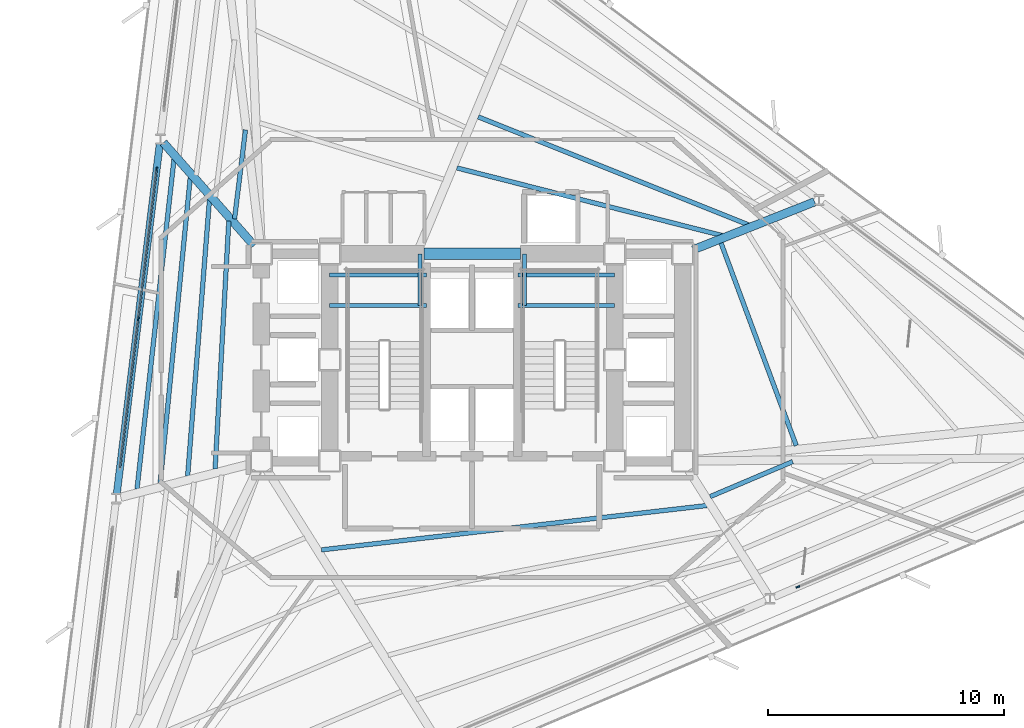
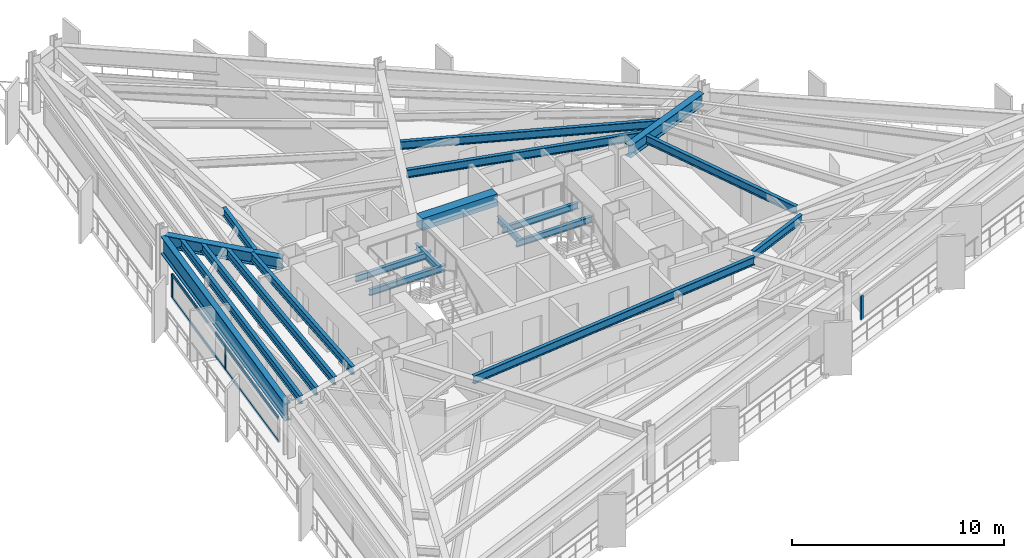
# One storey, part 3 of 13: 20 beams, 7 members, 2 elements without a shape of their own.
"""IFC4 building model written with IfcOpenShell, lengths in metres."""

from ifc_helpers import new_model, si_unit, direction, frame, origin, origin_2d, place, context, subcontext, project, spatial, rectangle, i_section, extrude, material, layer, layer_set, material_profile, profile_set, type_object, element, aggregate, save


model = new_model("IFC4")

# Units and contexts
model_context = context("Model", 3, precision=1e-05, world=origin(), true_north=direction((0.0, 1.0)))
body_context = subcontext(model_context, "Body", "Model", "MODEL_VIEW")
ifc_project = project(units=[si_unit("LENGTHUNIT", "METRE"), si_unit("AREAUNIT", "SQUARE_METRE"), si_unit("VOLUMEUNIT", "CUBIC_METRE"), si_unit("PLANEANGLEUNIT", "RADIAN"), si_unit("MASSUNIT", "GRAM", prefix="KILO")], contexts=[model_context])

# Site, building, storey
site_placement = place(None, origin())
site = spatial("IfcSite", under=ifc_project, at=site_placement, CompositionType="ELEMENT")
building_placement = place(site_placement, origin())
building = spatial("IfcBuilding", under=site, at=building_placement, Name="Rocaltana Carrier Exchange", CompositionType="ELEMENT")
storey_placement = place(building_placement, frame((0.0, 0.0, 73.1201171875)))
storey = spatial("IfcBuildingStorey", under=building, at=storey_placement, Name="L22", CompositionType="ELEMENT", Elevation=73.1201171875)

# Curtain wall, members
ifc_material_1 = material(Name="Aluminium 6063-T6", Category="aluminium")
ifc_layer = layer(ifc_material_1, 0.1650390625)
ifc_layer_set = layer_set([ifc_layer], Name="Aluminium 6063-T6")
curtain_wall_type = type_object("IfcCurtainWallType", Name="Lower-Mid Stepped Curtain Wall CW-02", PredefinedType="NOTDEFINED", material=ifc_layer_set)
curtain_wall_1_placement = place(storey_placement, origin())
curtain_wall_1 = element("IfcCurtainWall", 1, at=curtain_wall_1_placement, inside=storey, type_object=curtain_wall_type, Name="L22 CW-02 Run CW-L22-F2S2", PredefinedType="NOTDEFINED")
ifc_material_2 = material(Name="Aluminium 6063-T6", Category="aluminium")
ifc_material_profile_1 = material_profile(ifc_material_2, rectangle(XDim=0.06494140625, YDim=0.1650390625, at=origin_2d()), Name="AL-65X165")
ifc_profile_set_1 = profile_set([ifc_material_profile_1], Name="Aluminium 6063-T6")
member_type_1 = type_object("IfcMemberType", Name="CW-02 Mullion AL-65X165", PredefinedType="MULLION", material=ifc_profile_set_1)
member_1_placement = place(storey_placement, frame((-13.39404296875, 8.093505859375, 0.0), z_axis=(0.0, 0.0, 1.0), x_axis=(0.992545632614, -0.121873570472, 0.0)))
member_1 = element("IfcMember", 2, at=member_1_placement, type_object=member_type_1, Name="CW-02 mullion 1", PredefinedType="MULLION", context=body_context, shape_type="SweptSolid", body=[
    extrude(rectangle(XDim=0.06494140625, YDim=0.1650390625, at=origin_2d()), origin(), (0.0, 0.0, 1.0), 1.39794921875),
])
member_2_placement = place(storey_placement, frame((-14.17431640625, 1.740234375, 0.0), z_axis=(0.0, 0.0, 1.0), x_axis=(0.992545632614, -0.121873570472, 0.0)))
member_2 = element("IfcMember", 3, at=member_2_placement, type_object=member_type_1, Name="CW-02 mullion 2", PredefinedType="MULLION", context=body_context, shape_type="SweptSolid", body=[
    extrude(rectangle(XDim=0.06494140625, YDim=0.1650390625, at=origin_2d()), origin(), (0.0, 0.0, 1.0), 1.39794921875),
])

# Curtain wall, member
curtain_wall_2_placement = place(storey_placement, origin())
curtain_wall_2 = element("IfcCurtainWall", 4, at=curtain_wall_2_placement, inside=storey, type_object=curtain_wall_type, Name="L22 CW-02 Run CW-L22-F3S3", PredefinedType="NOTDEFINED")
member_3_placement = place(storey_placement, frame((13.8330078125, -9.642333984375, 0.0), z_axis=(0.0, 0.0, 1.0), x_axis=(-0.390735259141, 0.920503100084, 0.0)))
member_3 = element("IfcMember", 5, at=member_3_placement, type_object=member_type_1, Name="CW-02 mullion 1", PredefinedType="MULLION", context=body_context, shape_type="SweptSolid", body=[
    extrude(rectangle(XDim=0.06494140625, YDim=0.1650390625, at=origin_2d()), origin(), (0.0, 0.0, 1.0), 1.39794921875),
])
aggregate(curtain_wall_2, [member_3])

# Member
ifc_material_3 = material(Name="Aluminium 6063-T6", Category="aluminium")
ifc_material_profile_2 = material_profile(ifc_material_3, rectangle(XDim=0.06494140625, YDim=0.1650390625, at=origin_2d()), Name="AL-65X165")
ifc_profile_set_2 = profile_set([ifc_material_profile_2], Name="Aluminium 6063-T6")
member_type_2 = type_object("IfcMemberType", Name="CW-02 Transom AL-65X165", PredefinedType="USERDEFINED", material=ifc_profile_set_2)
member_4_placement = place(storey_placement, frame((-13.398193359375, 8.061279296875, 0.032470703125), z_axis=(-0.121881311797, -0.992544682034, 0.0), x_axis=(0.992544682034, -0.121881311797, 0.0)))
member_4 = element("IfcMember", 6, at=member_4_placement, type_object=member_type_2, Name="CW-02 transom 1.1", ObjectType="TRANSOM", PredefinedType="USERDEFINED", context=body_context, shape_type="SweptSolid", body=[
    extrude(rectangle(XDim=0.06494140625, YDim=0.1650390625, at=origin_2d()), origin(), (0.0, 0.0, 1.0), 6.335693359375),
])

member_5_placement = place(storey_placement, frame((-13.398193359375, 8.061279296875, 1.365478515625), z_axis=(-0.121881311797, -0.992544682034, 0.0), x_axis=(0.992544682034, -0.121881311797, 0.0)))
member_5 = element("IfcMember", 7, at=member_5_placement, type_object=member_type_2, Name="CW-02 transom 1.2", ObjectType="TRANSOM", PredefinedType="USERDEFINED", context=body_context, shape_type="SweptSolid", body=[
    extrude(rectangle(XDim=0.06494140625, YDim=0.1650390625, at=origin_2d()), origin(), (0.0, 0.0, 1.0), 6.335693359375),
])

member_6_placement = place(storey_placement, frame((-14.17822265625, 1.7080078125, 0.032470703125), z_axis=(-0.121881311797, -0.992544682034, 0.0), x_axis=(0.992544682034, -0.121881311797, 0.0)))
member_6 = element("IfcMember", 8, at=member_6_placement, type_object=member_type_2, Name="CW-02 transom 2.1", ObjectType="TRANSOM", PredefinedType="USERDEFINED", context=body_context, shape_type="SweptSolid", body=[
    extrude(rectangle(XDim=0.06494140625, YDim=0.1650390625, at=origin_2d()), origin(), (0.0, 0.0, 1.0), 6.335693359375),
])

member_7_placement = place(storey_placement, frame((-14.17822265625, 1.7080078125, 1.365478515625), z_axis=(-0.121881311797, -0.992544682034, 0.0), x_axis=(0.992544682034, -0.121881311797, 0.0)))
member_7 = element("IfcMember", 9, at=member_7_placement, type_object=member_type_2, Name="CW-02 transom 2.2", ObjectType="TRANSOM", PredefinedType="USERDEFINED", context=body_context, shape_type="SweptSolid", body=[
    extrude(rectangle(XDim=0.06494140625, YDim=0.1650390625, at=origin_2d()), origin(), (0.0, 0.0, 1.0), 6.335693359375),
])

aggregate(curtain_wall_1, [member_1, member_2, member_4, member_5, member_6, member_7])

# Beams
ifc_material_4 = material(Name="Concrete C60/75", Category="concrete")
ifc_material_profile_3 = material_profile(ifc_material_4, rectangle(XDim=0.5, YDim=0.699951171875, at=origin_2d()), Name="RC-BM-500X700")
ifc_profile_set_3 = profile_set([ifc_material_profile_3], Name="Concrete C60/75")
beam_type_1 = type_object("IfcBeamType", Name="Core Coupling Lintel 500x700", PredefinedType="LINTEL", material=ifc_profile_set_3)
beam_1_placement = place(storey_placement, frame((-2.050048828125, 4.5, 2.587890625), z_axis=(1.0, 0.0, 0.0), x_axis=(0.0, 1.0, 0.0)))
element("IfcBeam", 10, at=beam_1_placement, inside=storey, type_object=beam_type_1, Name="L22 Core Coupling Lintel CL-N", PredefinedType="LINTEL", context=body_context, shape_type="SweptSolid", body=[
    extrude(rectangle(XDim=0.5, YDim=0.699951171875, at=origin_2d()), origin(), (0.0, 0.0, 1.0), 4.10009765625),
])
ifc_material_5 = material(Name="Steel S355", Category="steel")
ifc_material_profile_4 = material_profile(ifc_material_5, i_section(OverallWidth=0.172119140625, OverallDepth=0.35791015625, WebThickness=0.0078125, FlangeThickness=0.01318359375, FilletRadius=0.011962890625, at=origin_2d()), Name="W14X38")
ifc_profile_set_4 = profile_set([ifc_material_profile_4], Name="Steel S355")
beam_type_2 = type_object("IfcBeamType", Name="Floor Joist W14X38", PredefinedType="JOIST", material=ifc_profile_set_4)
for number, where, z_axis, x_axis, name in (
    (11, (-6.050048828125, 2.300048828125, 1.30078125), (1.0, 0.0, 0.0), (0.0, 1.0, 0.0), "L22 ST-1 Landing Carrier 1"),
    (12, (1.93994140625, 2.300048828125, 1.30078125), (1.0, 0.0, 0.0), (0.0, 1.0, 0.0), "L22 ST-2 Landing Carrier 1"),
    (13, (-6.050048828125, 3.60009765625, 1.30078125), (1.0, 0.0, 0.0), (0.0, 1.0, 0.0), "L22 ST-1 Landing Carrier 2"),
    (14, (1.93994140625, 3.60009765625, 1.30078125), (1.0, 0.0, 0.0), (0.0, 1.0, 0.0), "L22 ST-2 Landing Carrier 2"),
):
    element("IfcBeam", number, at=place(storey_placement, frame(where, z_axis=z_axis, x_axis=x_axis)), inside=storey, type_object=beam_type_2, Name=name, PredefinedType="JOIST", context=body_context, shape_type="SweptSolid", body=[
        extrude(i_section(OverallWidth=0.172119140625, OverallDepth=0.35791015625, WebThickness=0.0078125, FlangeThickness=0.01318359375, FilletRadius=0.011962890625, at=origin_2d()), origin(), (0.0, 0.0, 1.0), 4.110107421875),
    ])
for number, where, z_axis, x_axis, name in (
    (15, (-2.219970703125, 2.300048828125, 1.30078125), (0.0, 1.0, 0.0), (-1.0, 0.0, 0.0), "L22 ST-1 Landing Cross Trimmer"),
    (16, (2.219970703125, 2.300048828125, 1.30078125), (0.0, 1.0, 0.0), (-1.0, 0.0, 0.0), "L22 ST-2 Landing Cross Trimmer"),
):
    element("IfcBeam", number, at=place(storey_placement, frame(where, z_axis=z_axis, x_axis=x_axis)), inside=storey, type_object=beam_type_2, Name=name, PredefinedType="JOIST", context=body_context, shape_type="SweptSolid", body=[
        extrude(i_section(OverallWidth=0.172119140625, OverallDepth=0.35791015625, WebThickness=0.0078125, FlangeThickness=0.01318359375, FilletRadius=0.011962890625, at=origin_2d()), origin(), (0.0, 0.0, 1.0), 2.199951171875),
    ])
ifc_material_6 = material(Name="Steel S355", Category="steel")
ifc_material_profile_5 = material_profile(ifc_material_6, i_section(OverallWidth=0.193115234375, OverallDepth=0.466064453125, WebThickness=0.011474609375, FlangeThickness=0.01904296875, FilletRadius=0.013916015625, at=origin_2d()), Name="W18X65")
ifc_profile_set_5 = profile_set([ifc_material_profile_5], Name="Steel S355")
beam_type_3 = type_object("IfcBeamType", Name="Floor Joist W18X65", PredefinedType="JOIST", material=ifc_profile_set_5)
beam_2_placement = place(storey_placement, frame((13.7646484375, -3.644287109375, 2.704833984375), z_axis=(-0.348190538878, 0.937423782841, 0.0), x_axis=(-0.937423782841, -0.348190538878, 0.0)))
element("IfcBeam", 17, at=beam_2_placement, inside=storey, type_object=beam_type_3, Name="FJ-L22-01-1", PredefinedType="JOIST", context=body_context, shape_type="SweptSolid", body=[
    extrude(i_section(OverallWidth=0.193115234375, OverallDepth=0.466064453125, WebThickness=0.011474609375, FlangeThickness=0.01904296875, FilletRadius=0.013916015625, at=origin_2d()), origin(), (0.0, 0.0, 1.0), 9.17333984375),
])
beam_3_placement = place(storey_placement, frame((10.633544921875, 5.272216796875, 2.704833984375), z_axis=(-0.969019358716, 0.246984781785, 0.0), x_axis=(-0.246984781785, -0.969019358716, 0.0)))
element("IfcBeam", 18, at=beam_3_placement, inside=storey, type_object=beam_type_3, Name="FJ-L22-02-1", PredefinedType="JOIST", context=body_context, shape_type="SweptSolid", body=[
    extrude(i_section(OverallWidth=0.193115234375, OverallDepth=0.466064453125, WebThickness=0.011474609375, FlangeThickness=0.01904296875, FilletRadius=0.013916015625, at=origin_2d()), origin(), (0.0, 0.0, 1.0), 11.639404296875),
])
beam_4_placement = place(storey_placement, frame((11.73876953125, 5.72705078125, 2.704833984375), z_axis=(-0.928527082135, 0.371264673436, 0.0), x_axis=(-0.371264673436, -0.928527082135, 0.0)))
element("IfcBeam", 19, at=beam_4_placement, inside=storey, type_object=beam_type_3, Name="FJ-L22-02-2", PredefinedType="JOIST", context=body_context, shape_type="SweptSolid", body=[
    extrude(i_section(OverallWidth=0.193115234375, OverallDepth=0.466064453125, WebThickness=0.011474609375, FlangeThickness=0.01904296875, FilletRadius=0.013916015625, at=origin_2d()), origin(), (0.0, 0.0, 1.0), 12.36083984375),
])
beam_5_placement = place(storey_placement, frame((-9.623046875, 9.76171875, 2.704833984375), z_axis=(-0.121879106214, -0.99254495287, 0.0), x_axis=(0.99254495287, -0.121879106214, 0.0)))
element("IfcBeam", 20, at=beam_5_placement, inside=storey, type_object=beam_type_3, Name="FJ-L22-05-1", PredefinedType="JOIST", context=body_context, shape_type="SweptSolid", body=[
    extrude(i_section(OverallWidth=0.193115234375, OverallDepth=0.466064453125, WebThickness=0.011474609375, FlangeThickness=0.01904296875, FilletRadius=0.013916015625, at=origin_2d()), origin(), (0.0, 0.0, 1.0), 3.805908203125),
])
beam_6_placement = place(storey_placement, frame((-10.33154296875, 5.885986328125, 2.704833984375), z_axis=(-0.055068403042, -0.998482584218, 0.0), x_axis=(0.998482584218, -0.055068403042, 0.0)))
element("IfcBeam", 21, at=beam_6_placement, inside=storey, type_object=beam_type_3, Name="FJ-L22-06-1", PredefinedType="JOIST", context=body_context, shape_type="SweptSolid", body=[
    extrude(i_section(OverallWidth=0.193115234375, OverallDepth=0.466064453125, WebThickness=0.011474609375, FlangeThickness=0.01904296875, FilletRadius=0.013916015625, at=origin_2d()), origin(), (0.0, 0.0, 1.0), 10.5380859375),
])
beam_7_placement = place(storey_placement, frame((-11.150390625, 6.810791015625, 2.704833984375), z_axis=(-0.078741493591, -0.996895068293, 0.0), x_axis=(0.996895068293, -0.078741493591, 0.0)))
element("IfcBeam", 22, at=beam_7_placement, inside=storey, type_object=beam_type_3, Name="FJ-L22-06-2", PredefinedType="JOIST", context=body_context, shape_type="SweptSolid", body=[
    extrude(i_section(OverallWidth=0.193115234375, OverallDepth=0.466064453125, WebThickness=0.011474609375, FlangeThickness=0.01904296875, FilletRadius=0.013916015625, at=origin_2d()), origin(), (0.0, 0.0, 1.0), 11.78515625),
])
beam_8_placement = place(storey_placement, frame((-11.96826171875, 7.73583984375, 2.704833984375), z_axis=(-0.097972183255, -0.995189153532, 0.0), x_axis=(0.995189153532, -0.097972183255, 0.0)))
element("IfcBeam", 23, at=beam_8_placement, inside=storey, type_object=beam_type_3, Name="FJ-L22-06-3", PredefinedType="JOIST", context=body_context, shape_type="SweptSolid", body=[
    extrude(i_section(OverallWidth=0.193115234375, OverallDepth=0.466064453125, WebThickness=0.011474609375, FlangeThickness=0.01904296875, FilletRadius=0.013916015625, at=origin_2d()), origin(), (0.0, 0.0, 1.0), 13.037841796875),
])
beam_9_placement = place(storey_placement, frame((-12.65673828125, 8.5146484375, 2.704833984375), z_axis=(-0.111539715424, -0.993759976998, 0.0), x_axis=(0.993759976998, -0.111539715424, 0.0)))
element("IfcBeam", 24, at=beam_9_placement, inside=storey, type_object=beam_type_3, Name="FJ-L22-06-4", PredefinedType="JOIST", context=body_context, shape_type="SweptSolid", body=[
    extrude(i_section(OverallWidth=0.193115234375, OverallDepth=0.466064453125, WebThickness=0.011474609375, FlangeThickness=0.01904296875, FilletRadius=0.013916015625, at=origin_2d()), origin(), (0.0, 0.0, 1.0), 14.095947265625),
])
beam_10_placement = place(storey_placement, frame((-6.393310546875, -8.071533203125, 2.704833984375), z_axis=(0.993445833528, 0.114303875027, 0.0), x_axis=(-0.114303875027, 0.993445833528, 0.0)))
element("IfcBeam", 25, at=beam_10_placement, inside=storey, type_object=beam_type_3, Name="FJ-L22-10-1", PredefinedType="JOIST", context=body_context, shape_type="SweptSolid", body=[
    extrude(i_section(OverallWidth=0.193115234375, OverallDepth=0.466064453125, WebThickness=0.011474609375, FlangeThickness=0.01904296875, FilletRadius=0.013916015625, at=origin_2d()), origin(), (0.0, 0.0, 1.0), 16.465576171875),
])
beam_11_placement = place(storey_placement, frame((10.107421875, -5.810791015625, 2.704833984375), z_axis=(0.920496503987, 0.390750798013, 0.0), x_axis=(-0.390750798013, 0.920496503987, 0.0)))
element("IfcBeam", 26, at=beam_11_placement, inside=storey, type_object=beam_type_3, Name="FJ-L22-11-1", PredefinedType="JOIST", context=body_context, shape_type="SweptSolid", body=[
    extrude(i_section(OverallWidth=0.193115234375, OverallDepth=0.466064453125, WebThickness=0.011474609375, FlangeThickness=0.01904296875, FilletRadius=0.013916015625, at=origin_2d()), origin(), (0.0, 0.0, 1.0), 3.80615234375),
])
ifc_material_7 = material(Name="Steel S355", Category="steel")
ifc_material_profile_6 = material_profile(ifc_material_7, i_section(OverallWidth=0.35498046875, OverallDepth=0.695068359375, WebThickness=0.015380859375, FlangeThickness=0.02490234375, FilletRadius=0.01806640625, at=origin_2d()), Name="W27X146")
ifc_profile_set_6 = profile_set([ifc_material_profile_6], Name="Steel S355")
beam_type_4 = type_object("IfcBeamType", Name="Radial Girder W27X146", PredefinedType="BEAM", material=ifc_profile_set_6)
beam_12_placement = place(storey_placement, frame((9.384521484375, 4.67138671875, 2.59033203125), z_axis=(0.93018805463, 0.367083346153, 0.0), x_axis=(-0.367083346153, 0.93018805463, 0.0)))
element("IfcBeam", 27, at=beam_12_placement, inside=storey, type_object=beam_type_4, Name="RG-L22-02", PredefinedType="BEAM", context=body_context, shape_type="SweptSolid", body=[
    extrude(i_section(OverallWidth=0.35498046875, OverallDepth=0.695068359375, WebThickness=0.015380859375, FlangeThickness=0.02490234375, FilletRadius=0.01806640625, at=origin_2d()), origin(), (0.0, 0.0, 1.0), 5.546142578125),
])
beam_13_placement = place(storey_placement, frame((-9.2587890625, 4.850341796875, 2.59033203125), z_axis=(-0.661091296073, 0.750305469963, 0.0), x_axis=(-0.750305469963, -0.661091296073, 0.0)))
element("IfcBeam", 28, at=beam_13_placement, inside=storey, type_object=beam_type_4, Name="RG-L22-06", PredefinedType="BEAM", context=body_context, shape_type="SweptSolid", body=[
    extrude(i_section(OverallWidth=0.35498046875, OverallDepth=0.695068359375, WebThickness=0.015380859375, FlangeThickness=0.02490234375, FilletRadius=0.01806640625, at=origin_2d()), origin(), (0.0, 0.0, 1.0), 5.81787109375),
])
ifc_material_8 = material(Name="Steel S460", Category="steel")
ifc_material_profile_7 = material_profile(ifc_material_8, i_section(OverallWidth=0.302001953125, OverallDepth=1.008056640625, WebThickness=0.02099609375, FlangeThickness=0.0400390625, FilletRadius=0.030029296875, at=origin_2d()), Name="HEM1000")
ifc_profile_set_7 = profile_set([ifc_material_profile_7], Name="Steel S460")
beam_type_5 = type_object("IfcBeamType", Name="Transfer Ring Girder HEM1000", PredefinedType="USERDEFINED", material=ifc_profile_set_7)
beam_14_placement = place(storey_placement, frame((-13.262451171875, 9.1669921875, 2.433837890625), z_axis=(-0.121867898519, -0.99254632905, 0.0), x_axis=(0.99254632905, -0.121867898519, 0.0)))
element("IfcBeam", 29, at=beam_14_placement, inside=storey, type_object=beam_type_5, Name="SP-L22-06", ObjectType="TRANSFER GIRDER", PredefinedType="USERDEFINED", context=body_context, shape_type="SweptSolid", body=[
    extrude(i_section(OverallWidth=0.302001953125, OverallDepth=1.008056640625, WebThickness=0.02099609375, FlangeThickness=0.0400390625, FilletRadius=0.030029296875, at=origin_2d()), origin(), (0.0, 0.0, 1.0), 14.96484375),
])

save(model, "model.ifc")
